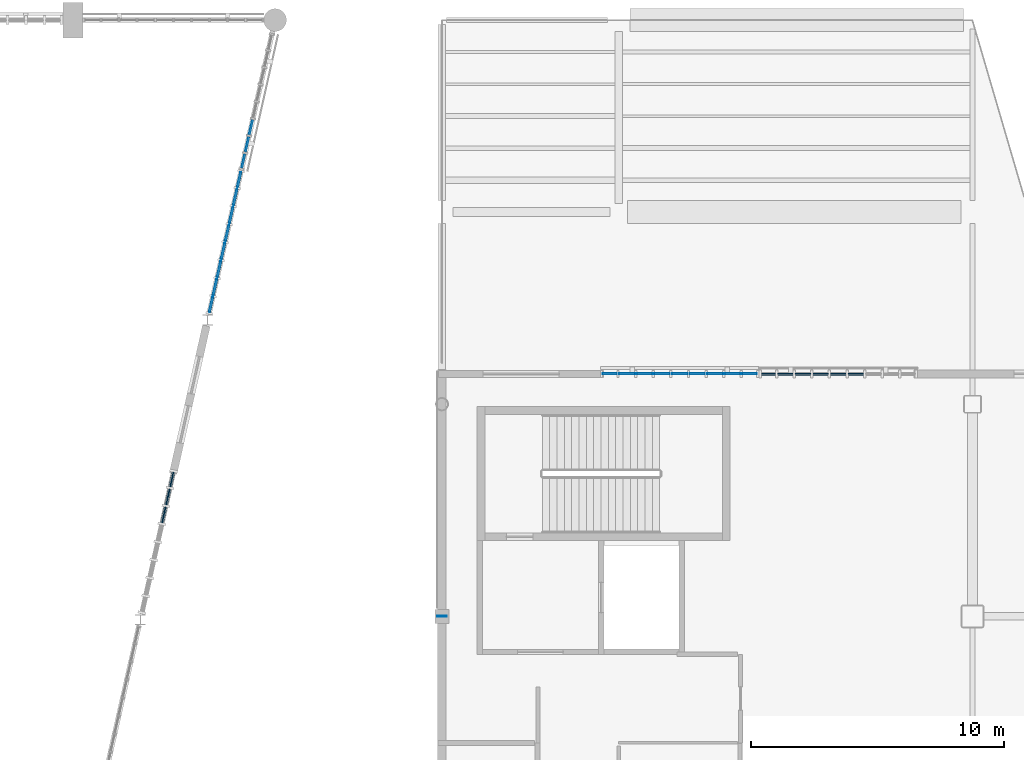
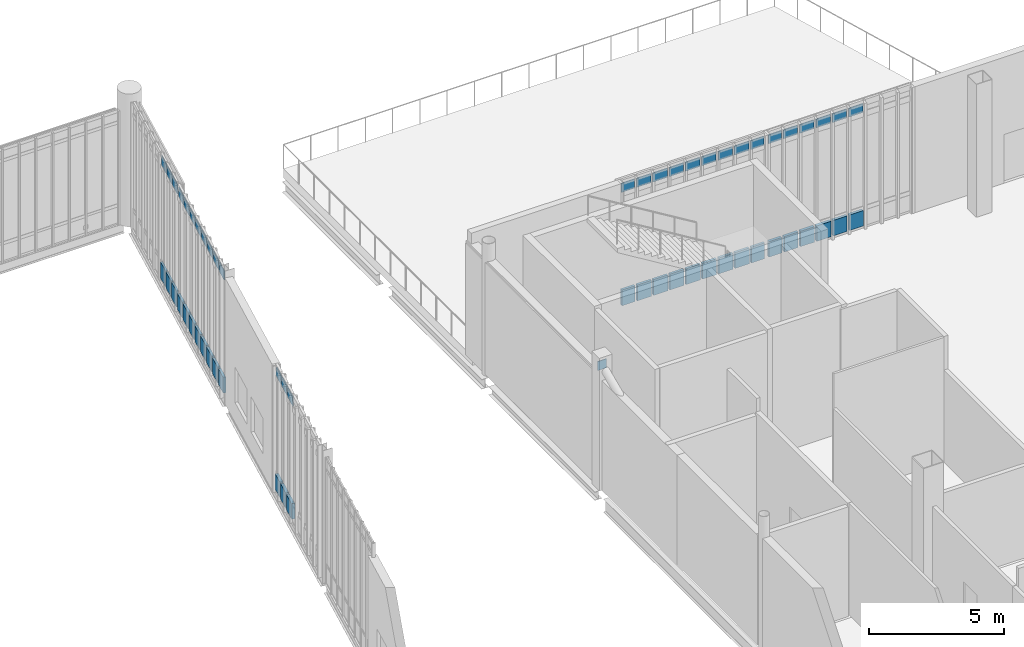
# One storey, part 100 of 135: 59 plates, 5 elements without a shape of their own.
"""IFC4 building model written with IfcOpenShell, lengths in metres."""

from ifc_helpers import new_model, si_unit, direction, frame, origin, origin_2d, place, context, subcontext, project, spatial, rectangle, extrude, material, layer, layer_set, type_object, element, aggregate, save


model = new_model("IFC4")

# Units and contexts
model_context = context("Model", 3, precision=1e-05, world=origin(), true_north=direction((0.0, 1.0)))
body_context = subcontext(model_context, "Body", "Model", "MODEL_VIEW")
ifc_project = project(units=[si_unit("LENGTHUNIT", "METRE"), si_unit("AREAUNIT", "SQUARE_METRE"), si_unit("VOLUMEUNIT", "CUBIC_METRE"), si_unit("PLANEANGLEUNIT", "RADIAN"), si_unit("MASSUNIT", "GRAM", prefix="KILO")], contexts=[model_context])

# Site, building, storey
site_placement = place(None, origin())
site = spatial("IfcSite", under=ifc_project, at=site_placement, CompositionType="ELEMENT")
building_placement = place(site_placement, origin())
building = spatial("IfcBuilding", under=site, at=building_placement, Name="Larkvane Passage Sports Hall", CompositionType="ELEMENT")
storey_placement = place(building_placement, frame((0.0, 0.0, 10.800048828125)))
storey = spatial("IfcBuildingStorey", under=building, at=storey_placement, Name="L02", CompositionType="ELEMENT", Elevation=10.800048828125)

# Curtain wall, plates
ifc_material_1 = material(Name="Thermally broken aluminium and low-E glazing", Category="aluminium")
curtain_wall_type_1 = type_object("IfcCurtainWallType", Name="CW-STICK-FOYER", PredefinedType="USERDEFINED", material=ifc_material_1)
curtain_wall_1_placement = place(storey_placement, origin())
curtain_wall_1 = element("IfcCurtainWall", 1, at=curtain_wall_1_placement, inside=storey, type_object=curtain_wall_type_1, Name="Curtain wall CW5-L02-066", ObjectType="STICK CURTAIN WALL", PredefinedType="USERDEFINED")
ifc_material_2 = material(Name="Fire-stopped shadow-box spandrel panel")
ifc_layer_1 = layer(ifc_material_2, 0.10498046875)
ifc_layer_set_1 = layer_set([ifc_layer_1], Name="Fire-stopped shadow-box spandrel panel")
plate_type_1 = type_object("IfcPlateType", Name="CWP-SPD-105", PredefinedType="CURTAIN_PANEL", material=ifc_layer_set_1)
plate_1_placement = place(storey_placement, frame((131.24609375, 85.199951171875, 0.08984375), z_axis=(0.0, 0.0, 1.0), x_axis=(1.0, 0.0, 0.0)))
plate_1 = element("IfcPlate", 2, at=plate_1_placement, type_object=plate_type_1, Name="CW-03 panel 1.1", PredefinedType="CURTAIN_PANEL", context=body_context, shape_type="SweptSolid", body=[
    extrude(rectangle(XDim=0.562255859375, YDim=0.10498046875, at=origin_2d()), origin(), (0.0, 0.0, 1.0), 0.715087890625),
])
plate_2_placement = place(storey_placement, frame((131.9208984375, 85.199951171875, 0.08984375), z_axis=(0.0, 0.0, 1.0), x_axis=(1.0, 0.0, 0.0)))
plate_2 = element("IfcPlate", 3, at=plate_2_placement, type_object=plate_type_1, Name="CW-03 panel 2.1", PredefinedType="CURTAIN_PANEL", context=body_context, shape_type="SweptSolid", body=[
    extrude(rectangle(XDim=0.607177734375, YDim=0.10498046875, at=origin_2d()), origin(), (0.0, 0.0, 1.0), 0.715087890625),
])
plate_3_placement = place(storey_placement, frame((132.6181640625, 85.199951171875, 0.08984375), z_axis=(0.0, 0.0, 1.0), x_axis=(1.0, 0.0, 0.0)))
plate_3 = element("IfcPlate", 4, at=plate_3_placement, type_object=plate_type_1, Name="CW-03 panel 3.1", PredefinedType="CURTAIN_PANEL", context=body_context, shape_type="SweptSolid", body=[
    extrude(rectangle(XDim=0.607177734375, YDim=0.10498046875, at=origin_2d()), origin(), (0.0, 0.0, 1.0), 0.715087890625),
])
plate_4_placement = place(storey_placement, frame((133.315185546875, 85.199951171875, 0.08984375), z_axis=(0.0, 0.0, 1.0), x_axis=(1.0, 0.0, 0.0)))
plate_4 = element("IfcPlate", 5, at=plate_4_placement, type_object=plate_type_1, Name="CW-03 panel 4.1", PredefinedType="CURTAIN_PANEL", context=body_context, shape_type="SweptSolid", body=[
    extrude(rectangle(XDim=0.607177734375, YDim=0.10498046875, at=origin_2d()), origin(), (0.0, 0.0, 1.0), 0.715087890625),
])
plate_5_placement = place(storey_placement, frame((134.012451171875, 85.199951171875, 0.08984375), z_axis=(0.0, 0.0, 1.0), x_axis=(1.0, 0.0, 0.0)))
plate_5 = element("IfcPlate", 6, at=plate_5_placement, type_object=plate_type_1, Name="CW-03 panel 5.1", PredefinedType="CURTAIN_PANEL", context=body_context, shape_type="SweptSolid", body=[
    extrude(rectangle(XDim=0.607177734375, YDim=0.10498046875, at=origin_2d()), origin(), (0.0, 0.0, 1.0), 0.715087890625),
])
plate_6_placement = place(storey_placement, frame((134.709716796875, 85.199951171875, 0.08984375), z_axis=(0.0, 0.0, 1.0), x_axis=(1.0, 0.0, 0.0)))
plate_6 = element("IfcPlate", 7, at=plate_6_placement, type_object=plate_type_1, Name="CW-03 panel 6.1", PredefinedType="CURTAIN_PANEL", context=body_context, shape_type="SweptSolid", body=[
    extrude(rectangle(XDim=0.607177734375, YDim=0.10498046875, at=origin_2d()), origin(), (0.0, 0.0, 1.0), 0.715087890625),
])
plate_7_placement = place(storey_placement, frame((135.406982421875, 85.199951171875, 0.08984375), z_axis=(0.0, 0.0, 1.0), x_axis=(1.0, 0.0, 0.0)))
plate_7 = element("IfcPlate", 8, at=plate_7_placement, type_object=plate_type_1, Name="CW-03 panel 7.1", PredefinedType="CURTAIN_PANEL", context=body_context, shape_type="SweptSolid", body=[
    extrude(rectangle(XDim=0.607177734375, YDim=0.10498046875, at=origin_2d()), origin(), (0.0, 0.0, 1.0), 0.715087890625),
])
plate_8_placement = place(storey_placement, frame((136.104248046875, 85.199951171875, 0.08984375), z_axis=(0.0, 0.0, 1.0), x_axis=(1.0, 0.0, 0.0)))
plate_8 = element("IfcPlate", 9, at=plate_8_placement, type_object=plate_type_1, Name="CW-03 panel 8.1", PredefinedType="CURTAIN_PANEL", context=body_context, shape_type="SweptSolid", body=[
    extrude(rectangle(XDim=0.607177734375, YDim=0.10498046875, at=origin_2d()), origin(), (0.0, 0.0, 1.0), 0.715087890625),
])
plate_9_placement = place(storey_placement, frame((136.77880859375, 85.199951171875, 0.08984375), z_axis=(0.0, 0.0, 1.0), x_axis=(1.0, 0.0, 0.0)))
plate_9 = element("IfcPlate", 10, at=plate_9_placement, type_object=plate_type_1, Name="CW-03 panel 9.1", PredefinedType="CURTAIN_PANEL", context=body_context, shape_type="SweptSolid", body=[
    extrude(rectangle(XDim=0.562255859375, YDim=0.10498046875, at=origin_2d()), origin(), (0.0, 0.0, 1.0), 0.715087890625),
])

curtain_wall_2_placement = place(storey_placement, origin())
curtain_wall_2 = element("IfcCurtainWall", 11, at=curtain_wall_2_placement, inside=storey, type_object=curtain_wall_type_1, Name="Curtain wall CW5-L02-082", ObjectType="STICK CURTAIN WALL", PredefinedType="USERDEFINED")
plate_10_placement = place(storey_placement, frame((116.5810546875, 92.88623046875, 0.08984375), z_axis=(0.0, 0.0, 1.0), x_axis=(-0.219243647747, -0.975670140428, 0.0)))
plate_10 = element("IfcPlate", 12, at=plate_10_placement, type_object=plate_type_1, Name="CW-03 panel 1.1", PredefinedType="CURTAIN_PANEL", context=body_context, shape_type="SweptSolid", body=[
    extrude(rectangle(XDim=0.595947265625, YDim=0.10498046875, at=origin_2d()), origin(), (0.0, 0.0, 1.0), 0.715087890625),
])
plate_11_placement = place(storey_placement, frame((116.42578125, 92.19482421875, 0.08984375), z_axis=(0.0, 0.0, 1.0), x_axis=(-0.219243647747, -0.975670140428, 0.0)))
plate_11 = element("IfcPlate", 13, at=plate_11_placement, type_object=plate_type_1, Name="CW-03 panel 2.1", PredefinedType="CURTAIN_PANEL", context=body_context, shape_type="SweptSolid", body=[
    extrude(rectangle(XDim=0.64111328125, YDim=0.10498046875, at=origin_2d()), origin(), (0.0, 0.0, 1.0), 0.715087890625),
])
plate_12_placement = place(storey_placement, frame((116.265625, 91.481689453125, 0.08984375), z_axis=(0.0, 0.0, 1.0), x_axis=(-0.219243647747, -0.975670140428, 0.0)))
plate_12 = element("IfcPlate", 14, at=plate_12_placement, type_object=plate_type_1, Name="CW-03 panel 3.1", PredefinedType="CURTAIN_PANEL", context=body_context, shape_type="SweptSolid", body=[
    extrude(rectangle(XDim=0.64111328125, YDim=0.10498046875, at=origin_2d()), origin(), (0.0, 0.0, 1.0), 0.715087890625),
])
plate_13_placement = place(storey_placement, frame((116.105224609375, 90.768310546875, 0.08984375), z_axis=(0.0, 0.0, 1.0), x_axis=(-0.219243647747, -0.975670140428, 0.0)))
plate_13 = element("IfcPlate", 15, at=plate_13_placement, type_object=plate_type_1, Name="CW-03 panel 4.1", PredefinedType="CURTAIN_PANEL", context=body_context, shape_type="SweptSolid", body=[
    extrude(rectangle(XDim=0.64111328125, YDim=0.10498046875, at=origin_2d()), origin(), (0.0, 0.0, 1.0), 0.715087890625),
])
plate_14_placement = place(storey_placement, frame((115.945068359375, 90.05517578125, 0.08984375), z_axis=(0.0, 0.0, 1.0), x_axis=(-0.219243647747, -0.975670140428, 0.0)))
plate_14 = element("IfcPlate", 16, at=plate_14_placement, type_object=plate_type_1, Name="CW-03 panel 5.1", PredefinedType="CURTAIN_PANEL", context=body_context, shape_type="SweptSolid", body=[
    extrude(rectangle(XDim=0.64111328125, YDim=0.10498046875, at=origin_2d()), origin(), (0.0, 0.0, 1.0), 0.715087890625),
])
plate_15_placement = place(storey_placement, frame((115.78466796875, 89.341796875, 0.08984375), z_axis=(0.0, 0.0, 1.0), x_axis=(-0.219243647747, -0.975670140428, 0.0)))
plate_15 = element("IfcPlate", 17, at=plate_15_placement, type_object=plate_type_1, Name="CW-03 panel 6.1", PredefinedType="CURTAIN_PANEL", context=body_context, shape_type="SweptSolid", body=[
    extrude(rectangle(XDim=0.64111328125, YDim=0.10498046875, at=origin_2d()), origin(), (0.0, 0.0, 1.0), 0.715087890625),
])
plate_16_placement = place(storey_placement, frame((115.62451171875, 88.628662109375, 0.08984375), z_axis=(0.0, 0.0, 1.0), x_axis=(-0.219243647747, -0.975670140428, 0.0)))
plate_16 = element("IfcPlate", 18, at=plate_16_placement, type_object=plate_type_1, Name="CW-03 panel 7.1", PredefinedType="CURTAIN_PANEL", context=body_context, shape_type="SweptSolid", body=[
    extrude(rectangle(XDim=0.64111328125, YDim=0.10498046875, at=origin_2d()), origin(), (0.0, 0.0, 1.0), 0.715087890625),
])
plate_17_placement = place(storey_placement, frame((115.468994140625, 87.937255859375, 0.08984375), z_axis=(0.0, 0.0, 1.0), x_axis=(-0.219243647747, -0.975670140428, 0.0)))
plate_17 = element("IfcPlate", 19, at=plate_17_placement, type_object=plate_type_1, Name="CW-03 panel 8.1", PredefinedType="CURTAIN_PANEL", context=body_context, shape_type="SweptSolid", body=[
    extrude(rectangle(XDim=0.595947265625, YDim=0.10498046875, at=origin_2d()), origin(), (0.0, 0.0, 1.0), 0.715087890625),
])

curtain_wall_type_2 = type_object("IfcCurtainWallType", Name="CW-CLINIC", PredefinedType="USERDEFINED", material=ifc_material_1)
curtain_wall_3_placement = place(storey_placement, origin())
curtain_wall_3 = element("IfcCurtainWall", 20, at=curtain_wall_3_placement, inside=storey, type_object=curtain_wall_type_2, Name="Curtain wall CW5-L02-067", ObjectType="UNITISED CURTAIN WALL", PredefinedType="USERDEFINED")
ifc_material_3 = material(Name="Deep insulated facade spandrel panel")
ifc_layer_2 = layer(ifc_material_3, 0.125)
ifc_layer_set_2 = layer_set([ifc_layer_2], Name="Deep insulated facade spandrel panel")
plate_type_2 = type_object("IfcPlateType", Name="CWP-SPD-125", PredefinedType="CURTAIN_PANEL", material=ifc_layer_set_2)
plate_18_placement = place(storey_placement, frame((137.523681640625, 85.199951171875, 0.10009765625), z_axis=(0.0, 0.0, 1.0), x_axis=(1.0, 0.0, 0.0)))
plate_18 = element("IfcPlate", 21, at=plate_18_placement, type_object=plate_type_2, Name="CW-05 panel 1.1", PredefinedType="CURTAIN_PANEL", context=body_context, shape_type="SweptSolid", body=[
    extrude(rectangle(XDim=0.547119140625, YDim=0.125, at=origin_2d()), origin(), (0.0, 0.0, 1.0), 0.699951171875),
])
plate_19_placement = place(storey_placement, frame((138.19580078125, 85.199951171875, 0.10009765625), z_axis=(0.0, 0.0, 1.0), x_axis=(1.0, 0.0, 0.0)))
plate_19 = element("IfcPlate", 22, at=plate_19_placement, type_object=plate_type_2, Name="CW-05 panel 2.1", PredefinedType="CURTAIN_PANEL", context=body_context, shape_type="SweptSolid", body=[
    extrude(rectangle(XDim=0.59716796875, YDim=0.125, at=origin_2d()), origin(), (0.0, 0.0, 1.0), 0.699951171875),
])
plate_20_placement = place(storey_placement, frame((138.89306640625, 85.199951171875, 0.10009765625), z_axis=(0.0, 0.0, 1.0), x_axis=(1.0, 0.0, 0.0)))
plate_20 = element("IfcPlate", 23, at=plate_20_placement, type_object=plate_type_2, Name="CW-05 panel 3.1", PredefinedType="CURTAIN_PANEL", context=body_context, shape_type="SweptSolid", body=[
    extrude(rectangle(XDim=0.59716796875, YDim=0.125, at=origin_2d()), origin(), (0.0, 0.0, 1.0), 0.699951171875),
])
plate_21_placement = place(storey_placement, frame((139.59033203125, 85.199951171875, 0.10009765625), z_axis=(0.0, 0.0, 1.0), x_axis=(1.0, 0.0, 0.0)))
plate_21 = element("IfcPlate", 24, at=plate_21_placement, type_object=plate_type_2, Name="CW-05 panel 4.1", PredefinedType="CURTAIN_PANEL", context=body_context, shape_type="SweptSolid", body=[
    extrude(rectangle(XDim=0.59716796875, YDim=0.125, at=origin_2d()), origin(), (0.0, 0.0, 1.0), 0.699951171875),
])
plate_22_placement = place(storey_placement, frame((140.28759765625, 85.199951171875, 0.10009765625), z_axis=(0.0, 0.0, 1.0), x_axis=(1.0, 0.0, 0.0)))
plate_22 = element("IfcPlate", 25, at=plate_22_placement, type_object=plate_type_2, Name="CW-05 panel 5.1", PredefinedType="CURTAIN_PANEL", context=body_context, shape_type="SweptSolid", body=[
    extrude(rectangle(XDim=0.59716796875, YDim=0.125, at=origin_2d()), origin(), (0.0, 0.0, 1.0), 0.699951171875),
])
plate_23_placement = place(storey_placement, frame((140.984619140625, 85.199951171875, 0.10009765625), z_axis=(0.0, 0.0, 1.0), x_axis=(1.0, 0.0, 0.0)))
plate_23 = element("IfcPlate", 26, at=plate_23_placement, type_object=plate_type_2, Name="CW-05 panel 6.1", PredefinedType="CURTAIN_PANEL", context=body_context, shape_type="SweptSolid", body=[
    extrude(rectangle(XDim=0.59716796875, YDim=0.125, at=origin_2d()), origin(), (0.0, 0.0, 1.0), 0.699951171875),
])

curtain_wall_4_placement = place(storey_placement, origin())
curtain_wall_4 = element("IfcCurtainWall", 27, at=curtain_wall_4_placement, inside=storey, type_object=curtain_wall_type_2, Name="Curtain wall CW5-L02-083", ObjectType="UNITISED CURTAIN WALL", PredefinedType="USERDEFINED")
plate_24_placement = place(storey_placement, frame((113.91455078125, 81.019287109375, 0.10009765625), z_axis=(0.0, 0.0, 1.0), x_axis=(-0.219244189156, -0.975670018767, 0.0)))
plate_24 = element("IfcPlate", 28, at=plate_24_placement, type_object=plate_type_2, Name="CW-05 panel 1.1", PredefinedType="CURTAIN_PANEL", context=body_context, shape_type="SweptSolid", body=[
    extrude(rectangle(XDim=0.580322265625, YDim=0.125, at=origin_2d()), origin(), (0.0, 0.0, 1.0), 0.699951171875),
])
plate_25_placement = place(storey_placement, frame((113.759765625, 80.331298828125, 0.10009765625), z_axis=(0.0, 0.0, 1.0), x_axis=(-0.219244189156, -0.975670018767, 0.0)))
plate_25 = element("IfcPlate", 29, at=plate_25_placement, type_object=plate_type_2, Name="CW-05 panel 2.1", PredefinedType="CURTAIN_PANEL", context=body_context, shape_type="SweptSolid", body=[
    extrude(rectangle(XDim=0.63037109375, YDim=0.125, at=origin_2d()), origin(), (0.0, 0.0, 1.0), 0.699951171875),
])
plate_26_placement = place(storey_placement, frame((113.599609375, 79.61865234375, 0.10009765625), z_axis=(0.0, 0.0, 1.0), x_axis=(-0.219244189156, -0.975670018767, 0.0)))
plate_26 = element("IfcPlate", 30, at=plate_26_placement, type_object=plate_type_2, Name="CW-05 panel 3.1", PredefinedType="CURTAIN_PANEL", context=body_context, shape_type="SweptSolid", body=[
    extrude(rectangle(XDim=0.63037109375, YDim=0.125, at=origin_2d()), origin(), (0.0, 0.0, 1.0), 0.699951171875),
])

curtain_wall_type_3 = type_object("IfcCurtainWallType", Name="CW-UNIT-VEIL", PredefinedType="USERDEFINED", material=ifc_material_1)
curtain_wall_5_placement = place(storey_placement, origin())
curtain_wall_5 = element("IfcCurtainWall", 31, at=curtain_wall_5_placement, inside=storey, type_object=curtain_wall_type_3, Name="Curtain wall CW5-L02-081", ObjectType="UNITISED CURTAIN WALL", PredefinedType="USERDEFINED")
ifc_material_4 = material(Name="Mineral-wool insulated spandrel cassette")
ifc_layer_3 = layer(ifc_material_4, 0.0849609375)
ifc_layer_set_3 = layer_set([ifc_layer_3], Name="Mineral-wool insulated spandrel cassette")
plate_type_3 = type_object("IfcPlateType", Name="CWP-SPD-85", PredefinedType="CURTAIN_PANEL", material=ifc_layer_set_3)
plate_27_placement = place(storey_placement, frame((117.04638671875, 94.956787109375, 0.07470703125), z_axis=(0.0, 0.0, 1.0), x_axis=(-0.219257496416, -0.975667028379, 0.0)))
plate_27 = element("IfcPlate", 32, at=plate_27_placement, type_object=plate_type_3, Name="CW-02 panel 6.1", PredefinedType="CURTAIN_PANEL", context=body_context, shape_type="SweptSolid", body=[
    extrude(rectangle(XDim=0.61865234375, YDim=0.0849609375, at=origin_2d()), origin(), (0.0, 0.0, 1.0), 0.737548828125),
])
plate_28_placement = place(storey_placement, frame((116.894287109375, 94.280029296875, 0.07470703125), z_axis=(0.0, 0.0, 1.0), x_axis=(-0.219257496416, -0.975667028379, 0.0)))
plate_28 = element("IfcPlate", 33, at=plate_28_placement, type_object=plate_type_3, Name="CW-02 panel 7.1", PredefinedType="CURTAIN_PANEL", context=body_context, shape_type="SweptSolid", body=[
    extrude(rectangle(XDim=0.61865234375, YDim=0.0849609375, at=origin_2d()), origin(), (0.0, 0.0, 1.0), 0.737548828125),
])
plate_29_placement = place(storey_placement, frame((116.746337890625, 93.621337890625, 0.07470703125), z_axis=(0.0, 0.0, 1.0), x_axis=(-0.219257496416, -0.975667028379, 0.0)))
plate_29 = element("IfcPlate", 34, at=plate_29_placement, type_object=plate_type_3, Name="CW-02 panel 8.1", PredefinedType="CURTAIN_PANEL", context=body_context, shape_type="SweptSolid", body=[
    extrude(rectangle(XDim=0.581298828125, YDim=0.0849609375, at=origin_2d()), origin(), (0.0, 0.0, 1.0), 0.737548828125),
])
ifc_material_5 = material(Name="Laminated acoustic low-E glazing", Category="glass")
ifc_layer_4 = layer(ifc_material_5, 0.031982421875)
ifc_layer_set_4 = layer_set([ifc_layer_4], Name="Laminated acoustic low-E glazing")
plate_type_4 = type_object("IfcPlateType", Name="CWP-VIS-32", PredefinedType="CURTAIN_PANEL", material=ifc_layer_set_4)
plate_30_placement = place(storey_placement, frame((117.04638671875, 94.956787109375, 5.1875), z_axis=(0.0, 0.0, 1.0), x_axis=(-0.219257496416, -0.975667028379, 0.0)))
plate_30 = element("IfcPlate", 35, at=plate_30_placement, type_object=plate_type_4, Name="CW-02 panel 6.3", PredefinedType="CURTAIN_PANEL", context=body_context, shape_type="SweptSolid", body=[
    extrude(rectangle(XDim=0.61865234375, YDim=0.031982421875, at=origin_2d()), origin(), (0.0, 0.0, 1.0), 0.4375),
])
plate_31_placement = place(storey_placement, frame((116.894287109375, 94.280029296875, 5.1875), z_axis=(0.0, 0.0, 1.0), x_axis=(-0.219257496416, -0.975667028379, 0.0)))
plate_31 = element("IfcPlate", 36, at=plate_31_placement, type_object=plate_type_4, Name="CW-02 panel 7.3", PredefinedType="CURTAIN_PANEL", context=body_context, shape_type="SweptSolid", body=[
    extrude(rectangle(XDim=0.61865234375, YDim=0.031982421875, at=origin_2d()), origin(), (0.0, 0.0, 1.0), 0.4375),
])
plate_32_placement = place(storey_placement, frame((116.746337890625, 93.621337890625, 5.1875), z_axis=(0.0, 0.0, 1.0), x_axis=(-0.219257496416, -0.975667028379, 0.0)))
plate_32 = element("IfcPlate", 37, at=plate_32_placement, type_object=plate_type_4, Name="CW-02 panel 8.3", PredefinedType="CURTAIN_PANEL", context=body_context, shape_type="SweptSolid", body=[
    extrude(rectangle(XDim=0.581298828125, YDim=0.031982421875, at=origin_2d()), origin(), (0.0, 0.0, 1.0), 0.4375),
])
aggregate(curtain_wall_5, [plate_27, plate_30, plate_28, plate_31, plate_29, plate_32])

# Plate
ifc_material_6 = material(Name="High-impact court low-E glazing", Category="glass")
ifc_layer_5 = layer(ifc_material_6, 0.035888671875)
ifc_layer_set_5 = layer_set([ifc_layer_5], Name="High-impact court low-E glazing")
plate_type_5 = type_object("IfcPlateType", Name="CWP-VIS-36", PredefinedType="CURTAIN_PANEL", material=ifc_layer_set_5)
plate_33_placement = place(storey_placement, frame((131.24609375, 85.199951171875, 5.19482421875), z_axis=(0.0, 0.0, 1.0), x_axis=(1.0, 0.0, 0.0)))
plate_33 = element("IfcPlate", 38, at=plate_33_placement, type_object=plate_type_5, Name="CW-03 panel 1.3", PredefinedType="CURTAIN_PANEL", context=body_context, shape_type="SweptSolid", body=[
    extrude(rectangle(XDim=0.562255859375, YDim=0.035888671875, at=origin_2d()), origin(), (0.0, 0.0, 1.0), 0.4150390625),
])

plate_34_placement = place(storey_placement, frame((131.9208984375, 85.199951171875, 5.19482421875), z_axis=(0.0, 0.0, 1.0), x_axis=(1.0, 0.0, 0.0)))
plate_34 = element("IfcPlate", 39, at=plate_34_placement, type_object=plate_type_5, Name="CW-03 panel 2.3", PredefinedType="CURTAIN_PANEL", context=body_context, shape_type="SweptSolid", body=[
    extrude(rectangle(XDim=0.607177734375, YDim=0.035888671875, at=origin_2d()), origin(), (0.0, 0.0, 1.0), 0.4150390625),
])

plate_35_placement = place(storey_placement, frame((132.6181640625, 85.199951171875, 5.19482421875), z_axis=(0.0, 0.0, 1.0), x_axis=(1.0, 0.0, 0.0)))
plate_35 = element("IfcPlate", 40, at=plate_35_placement, type_object=plate_type_5, Name="CW-03 panel 3.3", PredefinedType="CURTAIN_PANEL", context=body_context, shape_type="SweptSolid", body=[
    extrude(rectangle(XDim=0.607177734375, YDim=0.035888671875, at=origin_2d()), origin(), (0.0, 0.0, 1.0), 0.4150390625),
])

plate_36_placement = place(storey_placement, frame((133.315185546875, 85.199951171875, 5.19482421875), z_axis=(0.0, 0.0, 1.0), x_axis=(1.0, 0.0, 0.0)))
plate_36 = element("IfcPlate", 41, at=plate_36_placement, type_object=plate_type_5, Name="CW-03 panel 4.3", PredefinedType="CURTAIN_PANEL", context=body_context, shape_type="SweptSolid", body=[
    extrude(rectangle(XDim=0.607177734375, YDim=0.035888671875, at=origin_2d()), origin(), (0.0, 0.0, 1.0), 0.4150390625),
])

plate_37_placement = place(storey_placement, frame((134.012451171875, 85.199951171875, 5.19482421875), z_axis=(0.0, 0.0, 1.0), x_axis=(1.0, 0.0, 0.0)))
plate_37 = element("IfcPlate", 42, at=plate_37_placement, type_object=plate_type_5, Name="CW-03 panel 5.3", PredefinedType="CURTAIN_PANEL", context=body_context, shape_type="SweptSolid", body=[
    extrude(rectangle(XDim=0.607177734375, YDim=0.035888671875, at=origin_2d()), origin(), (0.0, 0.0, 1.0), 0.4150390625),
])

plate_38_placement = place(storey_placement, frame((134.709716796875, 85.199951171875, 5.19482421875), z_axis=(0.0, 0.0, 1.0), x_axis=(1.0, 0.0, 0.0)))
plate_38 = element("IfcPlate", 43, at=plate_38_placement, type_object=plate_type_5, Name="CW-03 panel 6.3", PredefinedType="CURTAIN_PANEL", context=body_context, shape_type="SweptSolid", body=[
    extrude(rectangle(XDim=0.607177734375, YDim=0.035888671875, at=origin_2d()), origin(), (0.0, 0.0, 1.0), 0.4150390625),
])

plate_39_placement = place(storey_placement, frame((135.406982421875, 85.199951171875, 5.19482421875), z_axis=(0.0, 0.0, 1.0), x_axis=(1.0, 0.0, 0.0)))
plate_39 = element("IfcPlate", 44, at=plate_39_placement, type_object=plate_type_5, Name="CW-03 panel 7.3", PredefinedType="CURTAIN_PANEL", context=body_context, shape_type="SweptSolid", body=[
    extrude(rectangle(XDim=0.607177734375, YDim=0.035888671875, at=origin_2d()), origin(), (0.0, 0.0, 1.0), 0.4150390625),
])

plate_40_placement = place(storey_placement, frame((136.104248046875, 85.199951171875, 5.19482421875), z_axis=(0.0, 0.0, 1.0), x_axis=(1.0, 0.0, 0.0)))
plate_40 = element("IfcPlate", 45, at=plate_40_placement, type_object=plate_type_5, Name="CW-03 panel 8.3", PredefinedType="CURTAIN_PANEL", context=body_context, shape_type="SweptSolid", body=[
    extrude(rectangle(XDim=0.607177734375, YDim=0.035888671875, at=origin_2d()), origin(), (0.0, 0.0, 1.0), 0.4150390625),
])

plate_41_placement = place(storey_placement, frame((136.77880859375, 85.199951171875, 5.19482421875), z_axis=(0.0, 0.0, 1.0), x_axis=(1.0, 0.0, 0.0)))
plate_41 = element("IfcPlate", 46, at=plate_41_placement, type_object=plate_type_5, Name="CW-03 panel 9.3", PredefinedType="CURTAIN_PANEL", context=body_context, shape_type="SweptSolid", body=[
    extrude(rectangle(XDim=0.562255859375, YDim=0.035888671875, at=origin_2d()), origin(), (0.0, 0.0, 1.0), 0.4150390625),
])

aggregate(curtain_wall_1, [plate_1, plate_33, plate_2, plate_34, plate_3, plate_35, plate_4, plate_36, plate_5, plate_37, plate_6, plate_38, plate_7, plate_39, plate_8, plate_40, plate_9, plate_41])

plate_42_placement = place(storey_placement, frame((116.5810546875, 92.88623046875, 5.19482421875), z_axis=(0.0, 0.0, 1.0), x_axis=(-0.219243647747, -0.975670140428, 0.0)))
plate_42 = element("IfcPlate", 47, at=plate_42_placement, type_object=plate_type_5, Name="CW-03 panel 1.3", PredefinedType="CURTAIN_PANEL", context=body_context, shape_type="SweptSolid", body=[
    extrude(rectangle(XDim=0.595947265625, YDim=0.035888671875, at=origin_2d()), origin(), (0.0, 0.0, 1.0), 0.4150390625),
])

plate_43_placement = place(storey_placement, frame((116.42578125, 92.19482421875, 5.19482421875), z_axis=(0.0, 0.0, 1.0), x_axis=(-0.219243647747, -0.975670140428, 0.0)))
plate_43 = element("IfcPlate", 48, at=plate_43_placement, type_object=plate_type_5, Name="CW-03 panel 2.3", PredefinedType="CURTAIN_PANEL", context=body_context, shape_type="SweptSolid", body=[
    extrude(rectangle(XDim=0.64111328125, YDim=0.035888671875, at=origin_2d()), origin(), (0.0, 0.0, 1.0), 0.4150390625),
])

plate_44_placement = place(storey_placement, frame((116.265625, 91.481689453125, 5.19482421875), z_axis=(0.0, 0.0, 1.0), x_axis=(-0.219243647747, -0.975670140428, 0.0)))
plate_44 = element("IfcPlate", 49, at=plate_44_placement, type_object=plate_type_5, Name="CW-03 panel 3.3", PredefinedType="CURTAIN_PANEL", context=body_context, shape_type="SweptSolid", body=[
    extrude(rectangle(XDim=0.64111328125, YDim=0.035888671875, at=origin_2d()), origin(), (0.0, 0.0, 1.0), 0.4150390625),
])

plate_45_placement = place(storey_placement, frame((116.105224609375, 90.768310546875, 5.19482421875), z_axis=(0.0, 0.0, 1.0), x_axis=(-0.219243647747, -0.975670140428, 0.0)))
plate_45 = element("IfcPlate", 50, at=plate_45_placement, type_object=plate_type_5, Name="CW-03 panel 4.3", PredefinedType="CURTAIN_PANEL", context=body_context, shape_type="SweptSolid", body=[
    extrude(rectangle(XDim=0.64111328125, YDim=0.035888671875, at=origin_2d()), origin(), (0.0, 0.0, 1.0), 0.4150390625),
])

plate_46_placement = place(storey_placement, frame((115.945068359375, 90.05517578125, 5.19482421875), z_axis=(0.0, 0.0, 1.0), x_axis=(-0.219243647747, -0.975670140428, 0.0)))
plate_46 = element("IfcPlate", 51, at=plate_46_placement, type_object=plate_type_5, Name="CW-03 panel 5.3", PredefinedType="CURTAIN_PANEL", context=body_context, shape_type="SweptSolid", body=[
    extrude(rectangle(XDim=0.64111328125, YDim=0.035888671875, at=origin_2d()), origin(), (0.0, 0.0, 1.0), 0.4150390625),
])

plate_47_placement = place(storey_placement, frame((115.78466796875, 89.341796875, 5.19482421875), z_axis=(0.0, 0.0, 1.0), x_axis=(-0.219243647747, -0.975670140428, 0.0)))
plate_47 = element("IfcPlate", 52, at=plate_47_placement, type_object=plate_type_5, Name="CW-03 panel 6.3", PredefinedType="CURTAIN_PANEL", context=body_context, shape_type="SweptSolid", body=[
    extrude(rectangle(XDim=0.64111328125, YDim=0.035888671875, at=origin_2d()), origin(), (0.0, 0.0, 1.0), 0.4150390625),
])

plate_48_placement = place(storey_placement, frame((115.62451171875, 88.628662109375, 5.19482421875), z_axis=(0.0, 0.0, 1.0), x_axis=(-0.219243647747, -0.975670140428, 0.0)))
plate_48 = element("IfcPlate", 53, at=plate_48_placement, type_object=plate_type_5, Name="CW-03 panel 7.3", PredefinedType="CURTAIN_PANEL", context=body_context, shape_type="SweptSolid", body=[
    extrude(rectangle(XDim=0.64111328125, YDim=0.035888671875, at=origin_2d()), origin(), (0.0, 0.0, 1.0), 0.4150390625),
])

plate_49_placement = place(storey_placement, frame((115.468994140625, 87.937255859375, 5.19482421875), z_axis=(0.0, 0.0, 1.0), x_axis=(-0.219243647747, -0.975670140428, 0.0)))
plate_49 = element("IfcPlate", 54, at=plate_49_placement, type_object=plate_type_5, Name="CW-03 panel 8.3", PredefinedType="CURTAIN_PANEL", context=body_context, shape_type="SweptSolid", body=[
    extrude(rectangle(XDim=0.595947265625, YDim=0.035888671875, at=origin_2d()), origin(), (0.0, 0.0, 1.0), 0.4150390625),
])

aggregate(curtain_wall_2, [plate_10, plate_42, plate_11, plate_43, plate_12, plate_44, plate_13, plate_45, plate_14, plate_46, plate_15, plate_47, plate_16, plate_48, plate_17, plate_49])

ifc_material_7 = material(Name="Triple-laminated typhoon glazing", Category="glass")
ifc_layer_6 = layer(ifc_material_7, 0.0419921875)
ifc_layer_set_6 = layer_set([ifc_layer_6], Name="Triple-laminated typhoon glazing")
plate_type_6 = type_object("IfcPlateType", Name="CWP-VIS-42", PredefinedType="CURTAIN_PANEL", material=ifc_layer_set_6)
plate_50_placement = place(storey_placement, frame((137.523681640625, 85.199951171875, 5.199951171875), z_axis=(0.0, 0.0, 1.0), x_axis=(1.0, 0.0, 0.0)))
plate_50 = element("IfcPlate", 55, at=plate_50_placement, type_object=plate_type_6, Name="CW-05 panel 1.3", PredefinedType="CURTAIN_PANEL", context=body_context, shape_type="SweptSolid", body=[
    extrude(rectangle(XDim=0.547119140625, YDim=0.0419921875, at=origin_2d()), origin(), (0.0, 0.0, 1.0), 0.39990234375),
])

plate_51_placement = place(storey_placement, frame((138.19580078125, 85.199951171875, 5.199951171875), z_axis=(0.0, 0.0, 1.0), x_axis=(1.0, 0.0, 0.0)))
plate_51 = element("IfcPlate", 56, at=plate_51_placement, type_object=plate_type_6, Name="CW-05 panel 2.3", PredefinedType="CURTAIN_PANEL", context=body_context, shape_type="SweptSolid", body=[
    extrude(rectangle(XDim=0.59716796875, YDim=0.0419921875, at=origin_2d()), origin(), (0.0, 0.0, 1.0), 0.39990234375),
])

plate_52_placement = place(storey_placement, frame((138.89306640625, 85.199951171875, 5.199951171875), z_axis=(0.0, 0.0, 1.0), x_axis=(1.0, 0.0, 0.0)))
plate_52 = element("IfcPlate", 57, at=plate_52_placement, type_object=plate_type_6, Name="CW-05 panel 3.3", PredefinedType="CURTAIN_PANEL", context=body_context, shape_type="SweptSolid", body=[
    extrude(rectangle(XDim=0.59716796875, YDim=0.0419921875, at=origin_2d()), origin(), (0.0, 0.0, 1.0), 0.39990234375),
])

plate_53_placement = place(storey_placement, frame((139.59033203125, 85.199951171875, 5.199951171875), z_axis=(0.0, 0.0, 1.0), x_axis=(1.0, 0.0, 0.0)))
plate_53 = element("IfcPlate", 58, at=plate_53_placement, type_object=plate_type_6, Name="CW-05 panel 4.3", PredefinedType="CURTAIN_PANEL", context=body_context, shape_type="SweptSolid", body=[
    extrude(rectangle(XDim=0.59716796875, YDim=0.0419921875, at=origin_2d()), origin(), (0.0, 0.0, 1.0), 0.39990234375),
])

plate_54_placement = place(storey_placement, frame((140.28759765625, 85.199951171875, 5.199951171875), z_axis=(0.0, 0.0, 1.0), x_axis=(1.0, 0.0, 0.0)))
plate_54 = element("IfcPlate", 59, at=plate_54_placement, type_object=plate_type_6, Name="CW-05 panel 5.3", PredefinedType="CURTAIN_PANEL", context=body_context, shape_type="SweptSolid", body=[
    extrude(rectangle(XDim=0.59716796875, YDim=0.0419921875, at=origin_2d()), origin(), (0.0, 0.0, 1.0), 0.39990234375),
])

plate_55_placement = place(storey_placement, frame((140.984619140625, 85.199951171875, 5.199951171875), z_axis=(0.0, 0.0, 1.0), x_axis=(1.0, 0.0, 0.0)))
plate_55 = element("IfcPlate", 60, at=plate_55_placement, type_object=plate_type_6, Name="CW-05 panel 6.3", PredefinedType="CURTAIN_PANEL", context=body_context, shape_type="SweptSolid", body=[
    extrude(rectangle(XDim=0.59716796875, YDim=0.0419921875, at=origin_2d()), origin(), (0.0, 0.0, 1.0), 0.39990234375),
])

aggregate(curtain_wall_3, [plate_18, plate_50, plate_19, plate_51, plate_20, plate_52, plate_21, plate_53, plate_22, plate_54, plate_23, plate_55])

plate_56_placement = place(storey_placement, frame((113.91455078125, 81.019287109375, 5.199951171875), z_axis=(0.0, 0.0, 1.0), x_axis=(-0.219244189156, -0.975670018767, 0.0)))
plate_56 = element("IfcPlate", 61, at=plate_56_placement, type_object=plate_type_6, Name="CW-05 panel 1.3", PredefinedType="CURTAIN_PANEL", context=body_context, shape_type="SweptSolid", body=[
    extrude(rectangle(XDim=0.580322265625, YDim=0.0419921875, at=origin_2d()), origin(), (0.0, 0.0, 1.0), 0.39990234375),
])

plate_57_placement = place(storey_placement, frame((113.759765625, 80.331298828125, 5.199951171875), z_axis=(0.0, 0.0, 1.0), x_axis=(-0.219244189156, -0.975670018767, 0.0)))
plate_57 = element("IfcPlate", 62, at=plate_57_placement, type_object=plate_type_6, Name="CW-05 panel 2.3", PredefinedType="CURTAIN_PANEL", context=body_context, shape_type="SweptSolid", body=[
    extrude(rectangle(XDim=0.63037109375, YDim=0.0419921875, at=origin_2d()), origin(), (0.0, 0.0, 1.0), 0.39990234375),
])

plate_58_placement = place(storey_placement, frame((113.599609375, 79.61865234375, 5.199951171875), z_axis=(0.0, 0.0, 1.0), x_axis=(-0.219244189156, -0.975670018767, 0.0)))
plate_58 = element("IfcPlate", 63, at=plate_58_placement, type_object=plate_type_6, Name="CW-05 panel 3.3", PredefinedType="CURTAIN_PANEL", context=body_context, shape_type="SweptSolid", body=[
    extrude(rectangle(XDim=0.63037109375, YDim=0.0419921875, at=origin_2d()), origin(), (0.0, 0.0, 1.0), 0.39990234375),
])

aggregate(curtain_wall_4, [plate_24, plate_56, plate_25, plate_57, plate_26, plate_58])

ifc_material_8 = material(Name="Steel S460N", Category="steel")
ifc_layer_7 = layer(ifc_material_8, 0.02001953125)
ifc_layer_set_7 = layer_set([ifc_layer_7], Name="Steel S460N")
plate_type_7 = type_object("IfcPlateType", Name="PLT-CAP-20", PredefinedType="SHEET", material=ifc_layer_set_7)
plate_59_placement = place(storey_placement, frame((124.60009765625, 75.609130859375, 5.25), z_axis=(0.0, 0.0, 1.0), x_axis=(-1.0, 0.0, 0.0)))
element("IfcPlate", 64, at=plate_59_placement, inside=storey, type_object=plate_type_7, Name="Hollow section sealed end cap plate 0592", PredefinedType="SHEET", context=body_context, shape_type="SweptSolid", body=[
    extrude(rectangle(XDim=0.37890625, YDim=0.028076171875, at=origin_2d()), origin(), (0.0, 0.0, 1.0), 0.407958984375),
])

save(model, "model.ifc")
